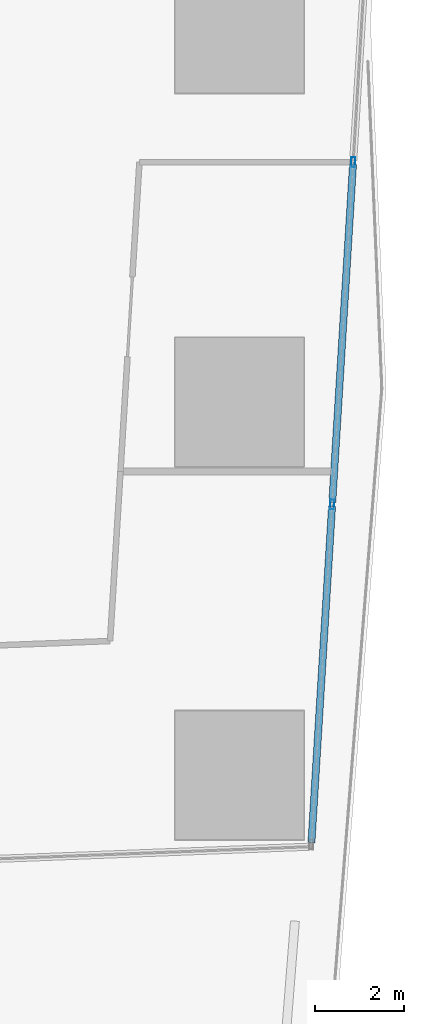
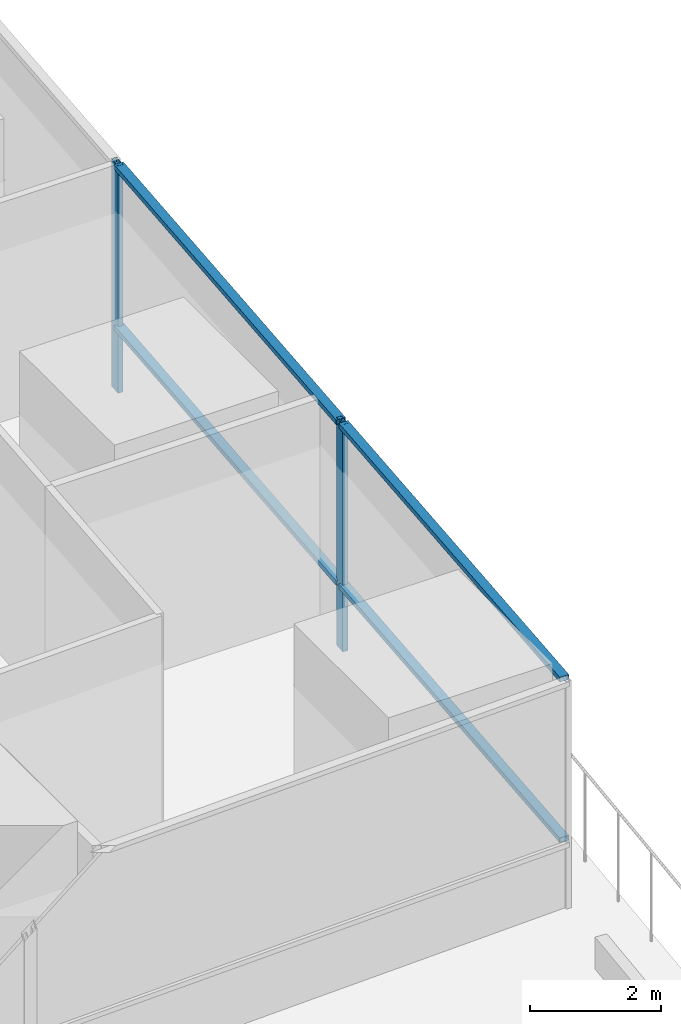
# One storey, part 14 of 44: 6 members, 1 element without a shape of its own.
"""IFC4 building model written with IfcOpenShell, lengths in metres."""

import ifcopenshell
import ifcopenshell.guid

model = None  # the IFC model being written
_history = None  # IfcOwnerHistory: only IFC2X3 demands one
_inside = {}  # id of a spatial element -> (the spatial element, [elements in it])
_under = {}  # id of a project, library or spatial element -> (it, [spatial elements below it])
_declared = {}  # id of a project -> (the project, [libraries it declares])
_typed = {}  # id of a type object -> (the type object, [elements of that type])
_made_of = {}  # id of a material, layer set ... -> (it, [elements and type objects made of it])


def new_model(schema):
    """Start an empty IFC model of exactly this schema.

    Asked for "IFC4X3", IfcOpenShell would pick the latest addendum, in which some entities
    have other attributes; the version numbers below select the first issue.
    IFC2X3 requires an IfcOwnerHistory on every rooted entity: one is made here for all.
    """
    global model, _history
    if schema == "IFC4X3":
        model = ifcopenshell.file(schema_version=(4, 3, 0, 0))
    else:
        model = ifcopenshell.file(schema=schema)
    _inside.clear()
    _under.clear()
    _declared.clear()
    _typed.clear()
    _made_of.clear()
    _history = None
    if model.schema == "IFC2X3":
        org = make("IfcOrganization", Name="unknown")
        user = make(
            "IfcPersonAndOrganization",
            ThePerson=make("IfcPerson", FamilyName="unknown"),
            TheOrganization=org,
        )
        app = make(
            "IfcApplication",
            ApplicationDeveloper=org,
            Version="unknown",
            ApplicationFullName="unknown",
            ApplicationIdentifier="unknown",
        )
        _history = make(
            "IfcOwnerHistory",
            OwningUser=user,
            OwningApplication=app,
            ChangeAction="ADDED",
            CreationDate=0,
        )
    return model


def make(cls, **values):
    """One entity of the class cls with the attributes given. An attribute that is None is left unset."""
    return model.create_entity(
        cls, **{name: value for name, value in values.items() if value is not None}
    )


def rooted(cls, **values):
    """An entity with a GlobalId (a new one), such as an element, a storey or a relation."""
    return make(cls, GlobalId=ifcopenshell.guid.new(), OwnerHistory=_history, **values)


def si_unit(unit_type, name, prefix=None):
    """IfcSIUnit, for example si_unit("LENGTHUNIT", "METRE", prefix="MILLI")."""
    return make("IfcSIUnit", UnitType=unit_type, Prefix=prefix, Name=name)


def assignment(units):
    """IfcUnitAssignment: the units of a project."""
    return None if units is None else make("IfcUnitAssignment", Units=units)


def point(xyz):
    """IfcCartesianPoint."""
    return None if xyz is None else make("IfcCartesianPoint", Coordinates=xyz)


def direction(xyz):
    """IfcDirection."""
    return None if xyz is None else make("IfcDirection", DirectionRatios=xyz)


def frame(location, z_axis=None, x_axis=None):
    """IfcAxis2Placement3D, a coordinate frame: its origin and axes. An axis left out is left unset."""
    return make(
        "IfcAxis2Placement3D",
        Location=point(location),
        Axis=direction(z_axis),
        RefDirection=direction(x_axis),
    )


def frame_2d(location, x_axis=None):
    """IfcAxis2Placement2D, a coordinate frame in the plane: its origin and x axis."""
    return make(
        "IfcAxis2Placement2D", Location=point(location), RefDirection=direction(x_axis)
    )


def origin():
    """The frame at (0, 0, 0) with its axes left unset."""
    return frame((0.0, 0.0, 0.0))


def origin_2d():
    """The frame at (0, 0) in the plane with its x axis left unset."""
    return frame_2d((0.0, 0.0))


def place(relative_to, where):
    """IfcLocalPlacement: puts the frame where relative to a parent placement (None: the world)."""
    return make(
        "IfcLocalPlacement", PlacementRelTo=relative_to, RelativePlacement=where
    )


def context(
    kind, dimensions, precision=None, world=None, true_north=None, identifier=None
):
    """IfcGeometricRepresentationContext, for example the 3D "Model" context."""
    return make(
        "IfcGeometricRepresentationContext",
        ContextIdentifier=identifier,
        ContextType=kind,
        CoordinateSpaceDimension=dimensions,
        Precision=precision,
        WorldCoordinateSystem=world,
        TrueNorth=true_north,
    )


def subcontext(parent, identifier, kind, view, scale=None):
    """IfcGeometricRepresentationSubContext, for example "Body" below "Model"."""
    return make(
        "IfcGeometricRepresentationSubContext",
        ContextIdentifier=identifier,
        ContextType=kind,
        ParentContext=parent,
        TargetScale=scale,
        TargetView=view,
    )


def project(units=None, contexts=None):
    """IfcProject with its units and contexts."""
    return rooted(
        "IfcProject",
        Name="project",
        RepresentationContexts=contexts,
        UnitsInContext=assignment(units),
    )


def spatial(cls, under=None, at=None, **own):
    """A site, building, storey or space (cls), placed at a placement, below another one or the project."""
    s = rooted(cls, ObjectPlacement=at, **own)
    if under is not None:
        _under.setdefault(under.id(), (under, []))[1].append(s)
    return s


def profile(cls, at=None, kind="AREA", **sizes):
    """A parametric profile (cls). Its sizes go by their IFC names, for example OverallWidth=200.0."""
    return make(cls, ProfileType=kind, Position=at, **sizes)


def hollow_rectangle(**sizes):
    """IfcRectangleHollowProfileDef."""
    return profile("IfcRectangleHollowProfileDef", **sizes)


def extrude(swept, where, along, depth):
    """IfcExtrudedAreaSolid: the profile swept, set in the frame where, extruded along a direction by depth."""
    return make(
        "IfcExtrudedAreaSolid",
        SweptArea=swept,
        Position=where,
        ExtrudedDirection=direction(along),
        Depth=depth,
    )


def shape(context_of_items, identifier, shape_type, items):
    """IfcShapeRepresentation: the items that make up one representation, for example the "Body"."""
    return make(
        "IfcShapeRepresentation",
        ContextOfItems=context_of_items,
        RepresentationIdentifier=identifier,
        RepresentationType=shape_type,
        Items=items,
    )


def material(Name=None, Category=None):
    """IfcMaterial."""
    return make("IfcMaterial", Name=Name, Category=Category)


def material_profile(
    of_material, cross_section, Name=None, Category=None, Priority=None
):
    """IfcMaterialProfile: a cross section and its material."""
    return make(
        "IfcMaterialProfile",
        Name=Name,
        Material=of_material,
        Profile=cross_section,
        Priority=Priority,
        Category=Category,
    )


def profile_set(profiles, Name=None, composite=None):
    """IfcMaterialProfileSet."""
    return make(
        "IfcMaterialProfileSet",
        Name=Name,
        MaterialProfiles=profiles,
        CompositeProfile=composite,
    )


def made_of(thing, what):
    """Note that an element or type object is made of a material, layer set ...; save() writes the relation."""
    if what is not None:
        _made_of.setdefault(what.id(), (what, []))[1].append(thing)
    return thing


def type_object(cls, material=None, **own):
    """A type object (cls), such as IfcWallType, which elements share."""
    return made_of(rooted(cls, **own), material)


def element(
    cls,
    number,
    at=None,
    inside=None,
    cuts=None,
    type_object=None,
    material=None,
    context=None,
    identifier="Body",
    shape_type=None,
    held_by="IfcProductDefinitionShape",
    body=None,
    shapes=None,
    **own,
):
    """One element of the class cls, such as IfcWall. Its Tag is "e" and its number.

    at: its placement. inside: the storey or other place that contains it. cuts: it is an
    opening in that element (IfcRelVoidsElement). A single representation is given by context,
    identifier, shape_type and body (its items); several are given by shapes. held_by: the class
    of the entity that holds the representations. save() writes the other relations.
    """
    e = rooted(cls, Tag="e%d" % number, ObjectPlacement=at, **own)
    if body is not None:
        shapes = [shape(context, identifier, shape_type, body)]
    if shapes is not None:
        e.Representation = make(held_by, Representations=shapes)
    if inside is not None:
        _inside.setdefault(inside.id(), (inside, []))[1].append(e)
    if cuts is not None:
        rooted(
            "IfcRelVoidsElement", RelatingBuildingElement=cuts, RelatedOpeningElement=e
        )
    if type_object is not None:
        _typed.setdefault(type_object.id(), (type_object, []))[1].append(e)
    return made_of(e, material)


def aggregate(whole, parts):
    """IfcRelAggregates: a whole, such as a stair, and the parts it consists of."""
    return rooted("IfcRelAggregates", RelatingObject=whole, RelatedObjects=parts)


def save(model, path):
    """Write the relations noted so far, then the file.

    IfcRelAggregates (storeys below a building ...), IfcRelContainedInSpatialStructure (elements
    in a storey), IfcRelDefinesByType, IfcRelAssociatesMaterial and IfcRelDeclares: one each for
    every whole, place, type object, material and project.
    """
    for whole, parts in _under.values():
        aggregate(whole, parts)
    for where, things in _inside.values():
        rooted(
            "IfcRelContainedInSpatialStructure",
            RelatedElements=things,
            RelatingStructure=where,
        )
    for kind, things in _typed.values():
        rooted("IfcRelDefinesByType", RelatedObjects=things, RelatingType=kind)
    for what, things in _made_of.values():
        rooted("IfcRelAssociatesMaterial", RelatedObjects=things, RelatingMaterial=what)
    for by, libraries in _declared.values():
        rooted("IfcRelDeclares", RelatingContext=by, RelatedDefinitions=libraries)
    model.write(path)


model = new_model("IFC4")

# Units and contexts
model_context = context("Model", 3, precision=1e-05, world=origin(), true_north=direction((0.0, 1.0)))
body_context = subcontext(model_context, "Body", "Model", "MODEL_VIEW")
ifc_project = project(units=[si_unit("LENGTHUNIT", "METRE"), si_unit("AREAUNIT", "SQUARE_METRE"), si_unit("VOLUMEUNIT", "CUBIC_METRE"), si_unit("PLANEANGLEUNIT", "RADIAN"), si_unit("MASSUNIT", "GRAM", prefix="KILO")], contexts=[model_context])

# Site, building, storey
site_placement = place(None, origin())
site = spatial("IfcSite", under=ifc_project, at=site_placement, CompositionType="ELEMENT")
building_placement = place(site_placement, origin())
building = spatial("IfcBuilding", under=site, at=building_placement, Name="Rekha Terrace Tower", CompositionType="ELEMENT")
storey_placement = place(building_placement, frame((0.0, 0.0, 90.800048828125)))
storey = spatial("IfcBuildingStorey", under=building, at=storey_placement, Name="L22", CompositionType="ELEMENT", Elevation=90.800048828125)

# Curtain wall, members
ifc_material_1 = material(Name="Aluminium framing", Category="aluminium")
curtain_wall_type = type_object("IfcCurtainWallType", Name="CW5 sky garden glazing", PredefinedType="USERDEFINED", material=ifc_material_1)
curtain_wall_placement = place(storey_placement, origin())
curtain_wall = element("IfcCurtainWall", 1, at=curtain_wall_placement, inside=storey, type_object=curtain_wall_type, Name="CW5 sky garden curtain wall", ObjectType="SKY GARDEN CURTAIN WALL", PredefinedType="USERDEFINED")
ifc_material_2 = material(Name="Aluminium mullion section", Category="aluminium")
ifc_material_profile_1 = material_profile(ifc_material_2, hollow_rectangle(XDim=0.090087890625, YDim=0.219970703125, WallThickness=0.00390625, at=origin_2d()), Name="AL RHS 90x220")
ifc_profile_set_1 = profile_set([ifc_material_profile_1], Name="Aluminium mullion section")
member_type_1 = type_object("IfcMemberType", Name="CW5 mullion RHS 90 x 220", PredefinedType="MULLION", material=ifc_profile_set_1)
member_1_placement = place(storey_placement, frame((69.283447265625, 22.894775390625, 0.0), z_axis=(0.0, 0.0, 1.0), x_axis=(-0.998127987025, 0.061159803113, 0.0)))
member_1 = element("IfcMember", 2, at=member_1_placement, type_object=member_type_1, Name="CW5 mullion 2", PredefinedType="MULLION", context=body_context, shape_type="SweptSolid", body=[
    extrude(hollow_rectangle(XDim=0.090087890625, YDim=0.219970703125, WallThickness=0.00390625, at=origin_2d()), origin(), (0.0, 0.0, 1.0), 4.25),
])
member_2_placement = place(storey_placement, frame((69.75537109375, 30.596923828125, 0.0), z_axis=(0.0, 0.0, 1.0), x_axis=(-0.998127987025, 0.061159803113, 0.0)))
member_2 = element("IfcMember", 3, at=member_2_placement, type_object=member_type_1, Name="CW5 mullion 3", PredefinedType="MULLION", context=body_context, shape_type="SweptSolid", body=[
    extrude(hollow_rectangle(XDim=0.090087890625, YDim=0.219970703125, WallThickness=0.00390625, at=origin_2d()), origin(), (0.0, 0.0, 1.0), 4.25),
])
ifc_material_3 = material(Name="Aluminium transom section", Category="aluminium")
ifc_material_profile_2 = material_profile(ifc_material_3, hollow_rectangle(XDim=0.159912109375, YDim=0.090087890625, WallThickness=0.0029296875, at=origin_2d()), Name="AL RHS 160x90")
ifc_profile_set_2 = profile_set([ifc_material_profile_2], Name="Aluminium transom section")
member_type_2 = type_object("IfcMemberType", Name="CW5 transom RHS 90 x 160", PredefinedType="USERDEFINED", material=ifc_profile_set_2)
member_3_placement = place(storey_placement, frame((68.81689453125, 15.28271484375, 1.199951171875), z_axis=(0.06115131099, 0.99812850734, 0.0), x_axis=(-0.99812850734, 0.06115131099, 0.0)))
member_3 = element("IfcMember", 4, at=member_3_placement, type_object=member_type_2, Name="CW5 transom 1.2", ObjectType="TRANSOM", PredefinedType="USERDEFINED", context=body_context, shape_type="SweptSolid", body=[
    extrude(hollow_rectangle(XDim=0.159912109375, YDim=0.090087890625, WallThickness=0.0029296875, at=origin_2d()), origin(), (0.0, 0.0, 1.0), 7.58154296875),
])
member_4_placement = place(storey_placement, frame((68.81689453125, 15.28271484375, 4.204833984375), z_axis=(0.06115131099, 0.99812850734, 0.0), x_axis=(-0.99812850734, 0.06115131099, 0.0)))
member_4 = element("IfcMember", 5, at=member_4_placement, type_object=member_type_2, Name="CW5 transom 1.3", ObjectType="TRANSOM", PredefinedType="USERDEFINED", context=body_context, shape_type="SweptSolid", body=[
    extrude(hollow_rectangle(XDim=0.159912109375, YDim=0.090087890625, WallThickness=0.0029296875, at=origin_2d()), origin(), (0.0, 0.0, 1.0), 7.58154296875),
])
member_5_placement = place(storey_placement, frame((69.2861328125, 22.939697265625, 1.199951171875), z_axis=(0.061174498468, 0.998127086466, 0.0), x_axis=(-0.998127086466, 0.061174498468, 0.0)))
member_5 = element("IfcMember", 6, at=member_5_placement, type_object=member_type_2, Name="CW5 transom 2.2", ObjectType="TRANSOM", PredefinedType="USERDEFINED", context=body_context, shape_type="SweptSolid", body=[
    extrude(hollow_rectangle(XDim=0.159912109375, YDim=0.090087890625, WallThickness=0.0029296875, at=origin_2d()), origin(), (0.0, 0.0, 1.0), 7.626708984375),
])
member_6_placement = place(storey_placement, frame((69.2861328125, 22.939697265625, 4.204833984375), z_axis=(0.061174498468, 0.998127086466, 0.0), x_axis=(-0.998127086466, 0.061174498468, 0.0)))
member_6 = element("IfcMember", 7, at=member_6_placement, type_object=member_type_2, Name="CW5 transom 2.3", ObjectType="TRANSOM", PredefinedType="USERDEFINED", context=body_context, shape_type="SweptSolid", body=[
    extrude(hollow_rectangle(XDim=0.159912109375, YDim=0.090087890625, WallThickness=0.0029296875, at=origin_2d()), origin(), (0.0, 0.0, 1.0), 7.626708984375),
])
aggregate(curtain_wall, [member_1, member_2, member_3, member_4, member_5, member_6])

save(model, "model.ifc")
